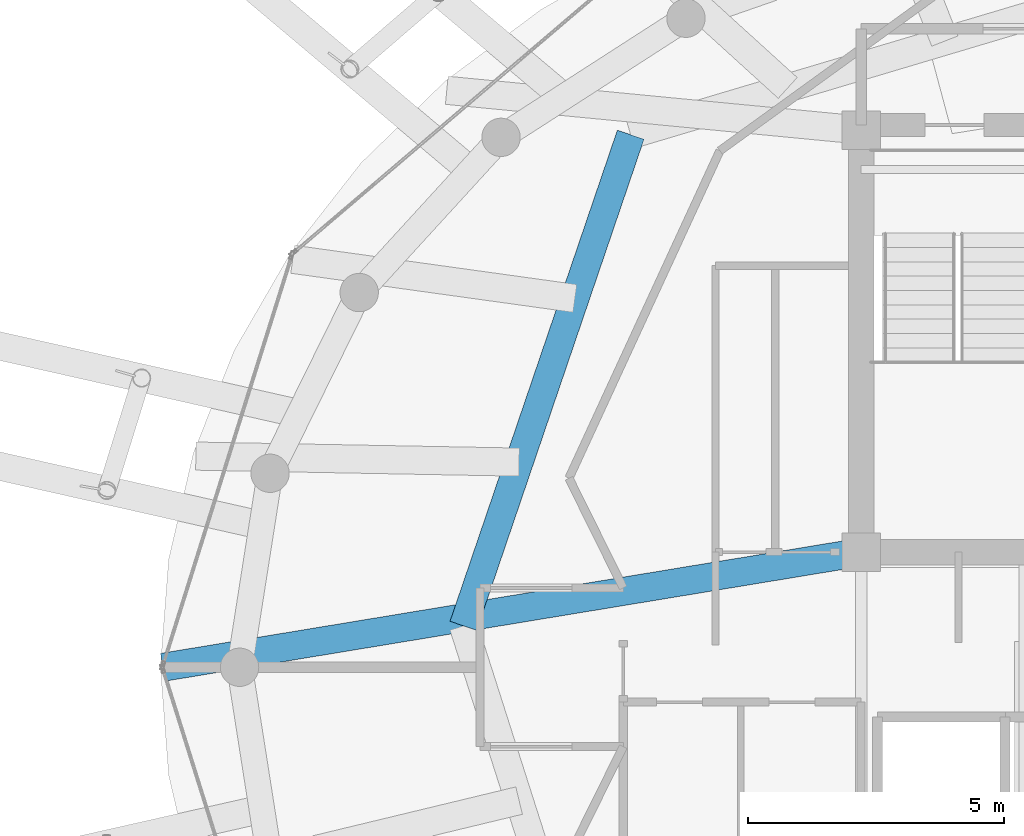
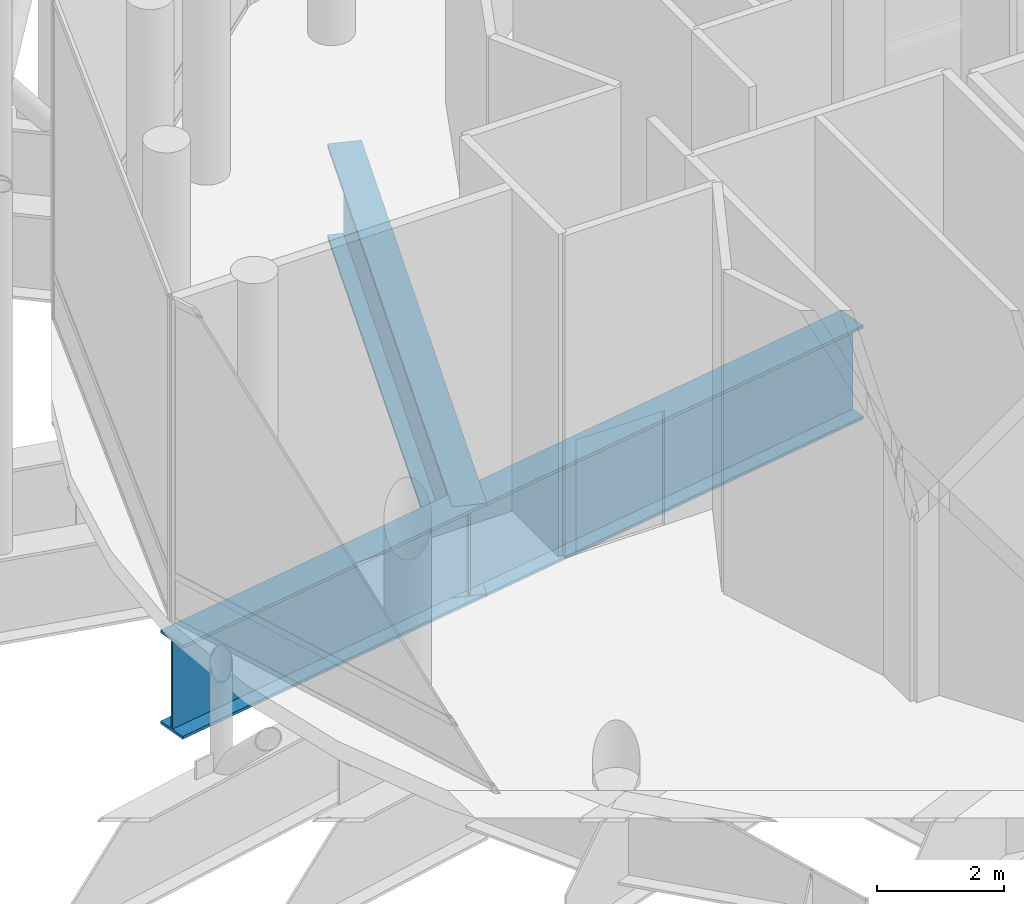
# One storey, part 10 of 26: 2 beams.
"""IFC4 building model written with IfcOpenShell, lengths in metres."""

from ifc_helpers import new_model, si_unit, direction, frame, origin, origin_2d, place, context, subcontext, project, spatial, i_section, extrude, material, material_profile, profile_set, type_object, element, save


model = new_model("IFC4")

# Units and contexts
model_context = context("Model", 3, precision=1e-05, world=origin(), true_north=direction((0.0, 1.0)))
body_context = subcontext(model_context, "Body", "Model", "MODEL_VIEW")
ifc_project = project(units=[si_unit("LENGTHUNIT", "METRE"), si_unit("AREAUNIT", "SQUARE_METRE"), si_unit("VOLUMEUNIT", "CUBIC_METRE"), si_unit("PLANEANGLEUNIT", "RADIAN"), si_unit("MASSUNIT", "GRAM", prefix="KILO")], contexts=[model_context])

# Site, building, storey
site_placement = place(None, origin())
site = spatial("IfcSite", under=ifc_project, at=site_placement, CompositionType="ELEMENT")
building_placement = place(site_placement, origin())
building = spatial("IfcBuilding", under=site, at=building_placement, Name="Nuhasar Tower", CompositionType="ELEMENT")
storey_placement = place(building_placement, frame((0.0, 0.0, 306.800048828125)))
storey = spatial("IfcBuildingStorey", under=building, at=storey_placement, Name="L76", CompositionType="ELEMENT", Elevation=306.800048828125)

# Beams
ifc_material = material(Name="Steel S460", Category="steel")
ifc_material_profile = material_profile(ifc_material, i_section(OverallWidth=0.550048828125, OverallDepth=1.800048828125, WebThickness=0.031982421875, FlangeThickness=0.054931640625, at=origin_2d()), Name="PG1800X550")
ifc_profile_set = profile_set([ifc_material_profile], Name="Steel S460")
beam_type = type_object("IfcBeamType", Name="BM-XFER-PG1800", PredefinedType="USERDEFINED", material=ifc_profile_set)
beam_1_placement = place(storey_placement, frame((33.699951171875, 29.050048828125, -1.25), z_axis=(-0.986685215874, -0.162641583786, 0.0), x_axis=(0.162641583786, -0.986685215874, 0.0)))
element("IfcBeam", 1, at=beam_1_placement, inside=storey, type_object=beam_type, Name="L76 Radial Floor Girder 08", ObjectType="GIRDER", PredefinedType="USERDEFINED", context=body_context, shape_type="SweptSolid", body=[
    extrude(i_section(OverallWidth=0.550048828125, OverallDepth=1.800048828125, WebThickness=0.031982421875, FlangeThickness=0.054931640625, at=origin_2d()), origin(), (0.0, 0.0, 1.0), 13.833984375),
])
beam_2_placement = place(storey_placement, frame((29.195068359375, 37.2099609375, -1.25), z_axis=(-0.322525410806, -0.946560805963, 0.0), x_axis=(0.946560805963, -0.322525410806, 0.0)))
element("IfcBeam", 2, at=beam_2_placement, inside=storey, type_object=beam_type, Name="L76 Inner Header Beam 07", ObjectType="GIRDER", PredefinedType="USERDEFINED", context=body_context, shape_type="SweptSolid", body=[
    extrude(i_section(OverallWidth=0.550048828125, OverallDepth=1.800048828125, WebThickness=0.031982421875, FlangeThickness=0.054931640625, at=origin_2d()), origin(), (0.0, 0.0, 1.0), 10.141845703125),
])

save(model, "model.ifc")
